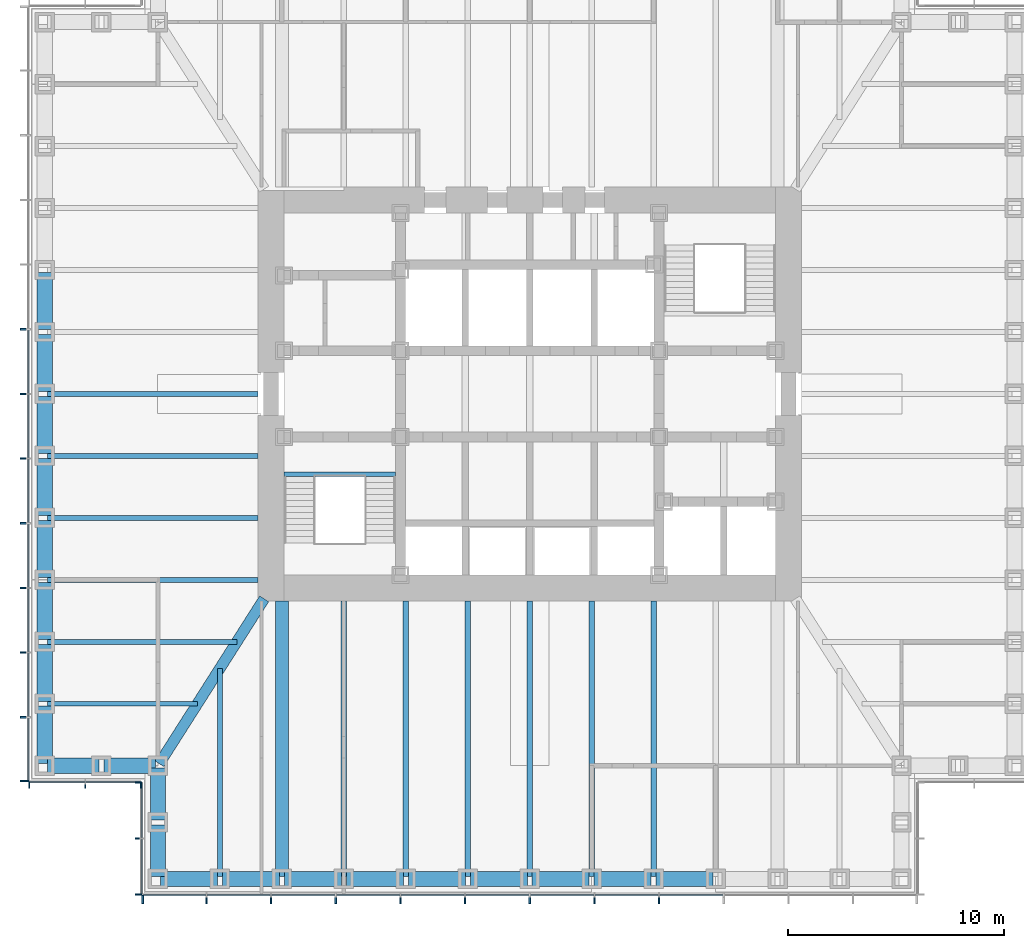
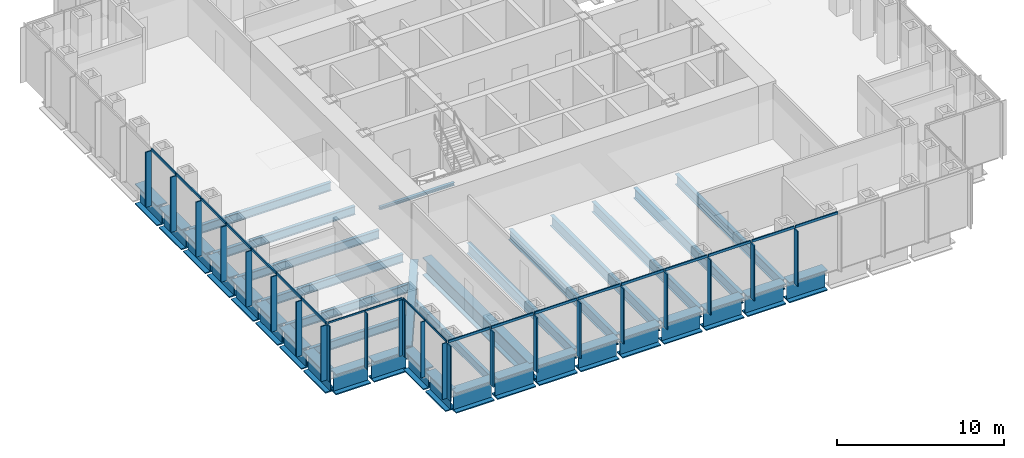
# One storey, part 2 of 17: 43 members, 37 beams, 4 elements without a shape of their own.
"""IFC4 building model written with IfcOpenShell, lengths in metres."""

from ifc_helpers import new_model, si_unit, direction, frame, origin, origin_2d, place, context, subcontext, project, spatial, rectangle, i_section, extrude, material, material_profile, profile_set, type_object, element, aggregate, save


model = new_model("IFC4")

# Units and contexts
model_context = context("Model", 3, precision=1e-05, world=origin(), true_north=direction((0.0, 1.0)))
body_context = subcontext(model_context, "Body", "Model", "MODEL_VIEW")
ifc_project = project(units=[si_unit("LENGTHUNIT", "METRE"), si_unit("AREAUNIT", "SQUARE_METRE"), si_unit("VOLUMEUNIT", "CUBIC_METRE"), si_unit("PLANEANGLEUNIT", "RADIAN"), si_unit("MASSUNIT", "GRAM", prefix="KILO")], contexts=[model_context])

# Site, building, storey
site_placement = place(None, origin())
site = spatial("IfcSite", under=ifc_project, at=site_placement, CompositionType="ELEMENT")
building_placement = place(site_placement, origin())
building = spatial("IfcBuilding", under=site, at=building_placement, Name="Daluyong Arena Tower", CompositionType="ELEMENT")
storey_placement = place(building_placement, frame((0.0, 0.0, 124.89990234375)))
storey = spatial("IfcBuildingStorey", under=building, at=storey_placement, Name="L27", CompositionType="ELEMENT", Elevation=124.89990234375)

# Curtain wall, members
ifc_material_1 = material(Name="Bronze anodised aluminium and glass", Category="aluminium")
curtain_wall_type_1 = type_object("IfcCurtainWallType", Name="Curtain wall CW2", PredefinedType="USERDEFINED", material=ifc_material_1)
curtain_wall_1_placement = place(storey_placement, origin())
curtain_wall_1 = element("IfcCurtainWall", 1, at=curtain_wall_1_placement, inside=storey, type_object=curtain_wall_type_1, Name="curtain wall L27 S", ObjectType="UNITISED CURTAIN WALL", PredefinedType="USERDEFINED")
ifc_material_2 = material(Name="Bronze anodised aluminium fin", Category="aluminium")
ifc_material_profile_1 = material_profile(ifc_material_2, rectangle(XDim=0.39990234375, YDim=0.080078125, at=origin_2d()))
ifc_profile_set_1 = profile_set([ifc_material_profile_1], Name="Bronze anodised aluminium fin")
member_type_1 = type_object("IfcMemberType", Name="CW2 bronze fin 400x80", PredefinedType="MULLION", material=ifc_profile_set_1)
member_1_placement = place(storey_placement, frame((38.0400390625, 56.550048828125, 0.0), z_axis=(0.0, 0.0, 1.0), x_axis=(0.0, 1.0, 0.0)))
member_1 = element("IfcMember", 2, at=member_1_placement, type_object=member_type_1, Name="curtain wall L27 S fin 1", PredefinedType="MULLION", context=body_context, shape_type="SweptSolid", body=[
    extrude(rectangle(XDim=0.39990234375, YDim=0.080078125, at=origin_2d()), origin(), (0.0, 0.0, 1.0), 4.02001953125),
])
member_2_placement = place(storey_placement, frame((41.0, 56.550048828125, 0.0), z_axis=(0.0, 0.0, 1.0), x_axis=(0.0, 1.0, 0.0)))
member_2 = element("IfcMember", 3, at=member_2_placement, type_object=member_type_1, Name="curtain wall L27 S fin 2", PredefinedType="MULLION", context=body_context, shape_type="SweptSolid", body=[
    extrude(rectangle(XDim=0.39990234375, YDim=0.080078125, at=origin_2d()), origin(), (0.0, 0.0, 1.0), 4.02001953125),
])
member_3_placement = place(storey_placement, frame((44.0, 56.550048828125, 0.0), z_axis=(0.0, 0.0, 1.0), x_axis=(0.0, 1.0, 0.0)))
member_3 = element("IfcMember", 4, at=member_3_placement, type_object=member_type_1, Name="curtain wall L27 S fin 3", PredefinedType="MULLION", context=body_context, shape_type="SweptSolid", body=[
    extrude(rectangle(XDim=0.39990234375, YDim=0.080078125, at=origin_2d()), origin(), (0.0, 0.0, 1.0), 4.02001953125),
])
member_4_placement = place(storey_placement, frame((47.0, 56.550048828125, 0.0), z_axis=(0.0, 0.0, 1.0), x_axis=(0.0, 1.0, 0.0)))
member_4 = element("IfcMember", 5, at=member_4_placement, type_object=member_type_1, Name="curtain wall L27 S fin 4", PredefinedType="MULLION", context=body_context, shape_type="SweptSolid", body=[
    extrude(rectangle(XDim=0.39990234375, YDim=0.080078125, at=origin_2d()), origin(), (0.0, 0.0, 1.0), 4.02001953125),
])
member_5_placement = place(storey_placement, frame((50.0, 56.550048828125, 0.0), z_axis=(0.0, 0.0, 1.0), x_axis=(0.0, 1.0, 0.0)))
member_5 = element("IfcMember", 6, at=member_5_placement, type_object=member_type_1, Name="curtain wall L27 S fin 5", PredefinedType="MULLION", context=body_context, shape_type="SweptSolid", body=[
    extrude(rectangle(XDim=0.39990234375, YDim=0.080078125, at=origin_2d()), origin(), (0.0, 0.0, 1.0), 4.02001953125),
])
member_6_placement = place(storey_placement, frame((53.0, 56.550048828125, 0.0), z_axis=(0.0, 0.0, 1.0), x_axis=(0.0, 1.0, 0.0)))
member_6 = element("IfcMember", 7, at=member_6_placement, type_object=member_type_1, Name="curtain wall L27 S fin 6", PredefinedType="MULLION", context=body_context, shape_type="SweptSolid", body=[
    extrude(rectangle(XDim=0.39990234375, YDim=0.080078125, at=origin_2d()), origin(), (0.0, 0.0, 1.0), 4.02001953125),
])
member_7_placement = place(storey_placement, frame((56.0, 56.550048828125, 0.0), z_axis=(0.0, 0.0, 1.0), x_axis=(0.0, 1.0, 0.0)))
member_7 = element("IfcMember", 8, at=member_7_placement, type_object=member_type_1, Name="curtain wall L27 S fin 7", PredefinedType="MULLION", context=body_context, shape_type="SweptSolid", body=[
    extrude(rectangle(XDim=0.39990234375, YDim=0.080078125, at=origin_2d()), origin(), (0.0, 0.0, 1.0), 4.02001953125),
])
member_8_placement = place(storey_placement, frame((59.0, 56.550048828125, 0.0), z_axis=(0.0, 0.0, 1.0), x_axis=(0.0, 1.0, 0.0)))
member_8 = element("IfcMember", 9, at=member_8_placement, type_object=member_type_1, Name="curtain wall L27 S fin 8", PredefinedType="MULLION", context=body_context, shape_type="SweptSolid", body=[
    extrude(rectangle(XDim=0.39990234375, YDim=0.080078125, at=origin_2d()), origin(), (0.0, 0.0, 1.0), 4.02001953125),
])
member_9_placement = place(storey_placement, frame((62.0, 56.550048828125, 0.0), z_axis=(0.0, 0.0, 1.0), x_axis=(0.0, 1.0, 0.0)))
member_9 = element("IfcMember", 10, at=member_9_placement, type_object=member_type_1, Name="curtain wall L27 S fin 9", PredefinedType="MULLION", context=body_context, shape_type="SweptSolid", body=[
    extrude(rectangle(XDim=0.39990234375, YDim=0.080078125, at=origin_2d()), origin(), (0.0, 0.0, 1.0), 4.02001953125),
])

curtain_wall_2_placement = place(storey_placement, origin())
curtain_wall_2 = element("IfcCurtainWall", 11, at=curtain_wall_2_placement, inside=storey, type_object=curtain_wall_type_1, Name="curtain wall L27 W", ObjectType="UNITISED CURTAIN WALL", PredefinedType="USERDEFINED")
member_10_placement = place(storey_placement, frame((32.550048828125, 83.0, 0.0), z_axis=(0.0, 0.0, 1.0), x_axis=(1.0, 0.0, 0.0)))
member_10 = element("IfcMember", 12, at=member_10_placement, type_object=member_type_1, Name="curtain wall L27 W fin 6", PredefinedType="MULLION", context=body_context, shape_type="SweptSolid", body=[
    extrude(rectangle(XDim=0.39990234375, YDim=0.080078125, at=origin_2d()), origin(), (0.0, 0.0, 1.0), 4.02001953125),
])
member_11_placement = place(storey_placement, frame((32.550048828125, 80.0, 0.0), z_axis=(0.0, 0.0, 1.0), x_axis=(1.0, 0.0, 0.0)))
member_11 = element("IfcMember", 13, at=member_11_placement, type_object=member_type_1, Name="curtain wall L27 W fin 7", PredefinedType="MULLION", context=body_context, shape_type="SweptSolid", body=[
    extrude(rectangle(XDim=0.39990234375, YDim=0.080078125, at=origin_2d()), origin(), (0.0, 0.0, 1.0), 4.02001953125),
])
member_12_placement = place(storey_placement, frame((32.550048828125, 77.0, 0.0), z_axis=(0.0, 0.0, 1.0), x_axis=(1.0, 0.0, 0.0)))
member_12 = element("IfcMember", 14, at=member_12_placement, type_object=member_type_1, Name="curtain wall L27 W fin 8", PredefinedType="MULLION", context=body_context, shape_type="SweptSolid", body=[
    extrude(rectangle(XDim=0.39990234375, YDim=0.080078125, at=origin_2d()), origin(), (0.0, 0.0, 1.0), 4.02001953125),
])
member_13_placement = place(storey_placement, frame((32.550048828125, 74.0, 0.0), z_axis=(0.0, 0.0, 1.0), x_axis=(1.0, 0.0, 0.0)))
member_13 = element("IfcMember", 15, at=member_13_placement, type_object=member_type_1, Name="curtain wall L27 W fin 9", PredefinedType="MULLION", context=body_context, shape_type="SweptSolid", body=[
    extrude(rectangle(XDim=0.39990234375, YDim=0.080078125, at=origin_2d()), origin(), (0.0, 0.0, 1.0), 4.02001953125),
])
member_14_placement = place(storey_placement, frame((32.550048828125, 71.0, 0.0), z_axis=(0.0, 0.0, 1.0), x_axis=(1.0, 0.0, 0.0)))
member_14 = element("IfcMember", 16, at=member_14_placement, type_object=member_type_1, Name="curtain wall L27 W fin 10", PredefinedType="MULLION", context=body_context, shape_type="SweptSolid", body=[
    extrude(rectangle(XDim=0.39990234375, YDim=0.080078125, at=origin_2d()), origin(), (0.0, 0.0, 1.0), 4.02001953125),
])
member_15_placement = place(storey_placement, frame((32.550048828125, 68.0, 0.0), z_axis=(0.0, 0.0, 1.0), x_axis=(1.0, 0.0, 0.0)))
member_15 = element("IfcMember", 17, at=member_15_placement, type_object=member_type_1, Name="curtain wall L27 W fin 11", PredefinedType="MULLION", context=body_context, shape_type="SweptSolid", body=[
    extrude(rectangle(XDim=0.39990234375, YDim=0.080078125, at=origin_2d()), origin(), (0.0, 0.0, 1.0), 4.02001953125),
])
member_16_placement = place(storey_placement, frame((32.550048828125, 65.0, 0.0), z_axis=(0.0, 0.0, 1.0), x_axis=(1.0, 0.0, 0.0)))
member_16 = element("IfcMember", 18, at=member_16_placement, type_object=member_type_1, Name="curtain wall L27 W fin 12", PredefinedType="MULLION", context=body_context, shape_type="SweptSolid", body=[
    extrude(rectangle(XDim=0.39990234375, YDim=0.080078125, at=origin_2d()), origin(), (0.0, 0.0, 1.0), 4.02001953125),
])
member_17_placement = place(storey_placement, frame((32.550048828125, 62.0400390625, 0.0), z_axis=(0.0, 0.0, 1.0), x_axis=(1.0, 0.0, 0.0)))
member_17 = element("IfcMember", 19, at=member_17_placement, type_object=member_type_1, Name="curtain wall L27 W fin 13", PredefinedType="MULLION", context=body_context, shape_type="SweptSolid", body=[
    extrude(rectangle(XDim=0.39990234375, YDim=0.080078125, at=origin_2d()), origin(), (0.0, 0.0, 1.0), 4.02001953125),
])

# Member
ifc_material_3 = material(Name="Bronze anodised aluminium", Category="aluminium")
ifc_material_profile_2 = material_profile(ifc_material_3, rectangle(XDim=0.080078125, YDim=0.179931640625, at=origin_2d()))
ifc_profile_set_2 = profile_set([ifc_material_profile_2], Name="Bronze anodised aluminium")
member_type_2 = type_object("IfcMemberType", Name="CW2 stack transom 180x80", PredefinedType="USERDEFINED", material=ifc_profile_set_2)
member_18_placement = place(storey_placement, frame((38.080078125, 56.75, 4.110107421875), z_axis=(1.0, 0.0, 0.0), x_axis=(0.0, 1.0, 0.0)))
member_18 = element("IfcMember", 20, at=member_18_placement, type_object=member_type_2, Name="curtain wall L27 S transom 1", ObjectType="TRANSOM", PredefinedType="USERDEFINED", context=body_context, shape_type="SweptSolid", body=[
    extrude(rectangle(XDim=0.080078125, YDim=0.179931640625, at=origin_2d()), origin(), (0.0, 0.0, 1.0), 2.8798828125),
])

member_19_placement = place(storey_placement, frame((41.0400390625, 56.75, 4.110107421875), z_axis=(1.0, 0.0, 0.0), x_axis=(0.0, 1.0, 0.0)))
member_19 = element("IfcMember", 21, at=member_19_placement, type_object=member_type_2, Name="curtain wall L27 S transom 2", ObjectType="TRANSOM", PredefinedType="USERDEFINED", context=body_context, shape_type="SweptSolid", body=[
    extrude(rectangle(XDim=0.080078125, YDim=0.179931640625, at=origin_2d()), origin(), (0.0, 0.0, 1.0), 2.919921875),
])

member_20_placement = place(storey_placement, frame((44.0400390625, 56.75, 4.110107421875), z_axis=(1.0, 0.0, 0.0), x_axis=(0.0, 1.0, 0.0)))
member_20 = element("IfcMember", 22, at=member_20_placement, type_object=member_type_2, Name="curtain wall L27 S transom 3", ObjectType="TRANSOM", PredefinedType="USERDEFINED", context=body_context, shape_type="SweptSolid", body=[
    extrude(rectangle(XDim=0.080078125, YDim=0.179931640625, at=origin_2d()), origin(), (0.0, 0.0, 1.0), 2.919921875),
])

member_21_placement = place(storey_placement, frame((47.0400390625, 56.75, 4.110107421875), z_axis=(1.0, 0.0, 0.0), x_axis=(0.0, 1.0, 0.0)))
member_21 = element("IfcMember", 23, at=member_21_placement, type_object=member_type_2, Name="curtain wall L27 S transom 4", ObjectType="TRANSOM", PredefinedType="USERDEFINED", context=body_context, shape_type="SweptSolid", body=[
    extrude(rectangle(XDim=0.080078125, YDim=0.179931640625, at=origin_2d()), origin(), (0.0, 0.0, 1.0), 2.919921875),
])

member_22_placement = place(storey_placement, frame((50.0400390625, 56.75, 4.110107421875), z_axis=(1.0, 0.0, 0.0), x_axis=(0.0, 1.0, 0.0)))
member_22 = element("IfcMember", 24, at=member_22_placement, type_object=member_type_2, Name="curtain wall L27 S transom 5", ObjectType="TRANSOM", PredefinedType="USERDEFINED", context=body_context, shape_type="SweptSolid", body=[
    extrude(rectangle(XDim=0.080078125, YDim=0.179931640625, at=origin_2d()), origin(), (0.0, 0.0, 1.0), 2.919921875),
])

member_23_placement = place(storey_placement, frame((53.0400390625, 56.75, 4.110107421875), z_axis=(1.0, 0.0, 0.0), x_axis=(0.0, 1.0, 0.0)))
member_23 = element("IfcMember", 25, at=member_23_placement, type_object=member_type_2, Name="curtain wall L27 S transom 6", ObjectType="TRANSOM", PredefinedType="USERDEFINED", context=body_context, shape_type="SweptSolid", body=[
    extrude(rectangle(XDim=0.080078125, YDim=0.179931640625, at=origin_2d()), origin(), (0.0, 0.0, 1.0), 2.919921875),
])

member_24_placement = place(storey_placement, frame((56.0400390625, 56.75, 4.110107421875), z_axis=(1.0, 0.0, 0.0), x_axis=(0.0, 1.0, 0.0)))
member_24 = element("IfcMember", 26, at=member_24_placement, type_object=member_type_2, Name="curtain wall L27 S transom 7", ObjectType="TRANSOM", PredefinedType="USERDEFINED", context=body_context, shape_type="SweptSolid", body=[
    extrude(rectangle(XDim=0.080078125, YDim=0.179931640625, at=origin_2d()), origin(), (0.0, 0.0, 1.0), 2.919921875),
])

member_25_placement = place(storey_placement, frame((59.0400390625, 56.75, 4.110107421875), z_axis=(1.0, 0.0, 0.0), x_axis=(0.0, 1.0, 0.0)))
member_25 = element("IfcMember", 27, at=member_25_placement, type_object=member_type_2, Name="curtain wall L27 S transom 8", ObjectType="TRANSOM", PredefinedType="USERDEFINED", context=body_context, shape_type="SweptSolid", body=[
    extrude(rectangle(XDim=0.080078125, YDim=0.179931640625, at=origin_2d()), origin(), (0.0, 0.0, 1.0), 2.919921875),
])

member_26_placement = place(storey_placement, frame((62.0400390625, 56.75, 4.110107421875), z_axis=(1.0, 0.0, 0.0), x_axis=(0.0, 1.0, 0.0)))
member_26 = element("IfcMember", 28, at=member_26_placement, type_object=member_type_2, Name="curtain wall L27 S transom 9", ObjectType="TRANSOM", PredefinedType="USERDEFINED", context=body_context, shape_type="SweptSolid", body=[
    extrude(rectangle(XDim=0.080078125, YDim=0.179931640625, at=origin_2d()), origin(), (0.0, 0.0, 1.0), 2.919921875),
])

aggregate(curtain_wall_1, [member_1, member_2, member_3, member_4, member_5, member_6, member_7, member_8, member_9, member_18, member_19, member_20, member_21, member_22, member_23, member_24, member_25, member_26])

member_27_placement = place(storey_placement, frame((32.75, 82.9599609375, 4.110107421875), z_axis=(0.0, -1.0, 0.0), x_axis=(1.0, 0.0, 0.0)))
member_27 = element("IfcMember", 29, at=member_27_placement, type_object=member_type_2, Name="curtain wall L27 W transom 6", ObjectType="TRANSOM", PredefinedType="USERDEFINED", context=body_context, shape_type="SweptSolid", body=[
    extrude(rectangle(XDim=0.080078125, YDim=0.179931640625, at=origin_2d()), origin(), (0.0, 0.0, 1.0), 2.919921875),
])

member_28_placement = place(storey_placement, frame((32.75, 79.9599609375, 4.110107421875), z_axis=(0.0, -1.0, 0.0), x_axis=(1.0, 0.0, 0.0)))
member_28 = element("IfcMember", 30, at=member_28_placement, type_object=member_type_2, Name="curtain wall L27 W transom 7", ObjectType="TRANSOM", PredefinedType="USERDEFINED", context=body_context, shape_type="SweptSolid", body=[
    extrude(rectangle(XDim=0.080078125, YDim=0.179931640625, at=origin_2d()), origin(), (0.0, 0.0, 1.0), 2.919921875),
])

member_29_placement = place(storey_placement, frame((32.75, 76.9599609375, 4.110107421875), z_axis=(0.0, -1.0, 0.0), x_axis=(1.0, 0.0, 0.0)))
member_29 = element("IfcMember", 31, at=member_29_placement, type_object=member_type_2, Name="curtain wall L27 W transom 8", ObjectType="TRANSOM", PredefinedType="USERDEFINED", context=body_context, shape_type="SweptSolid", body=[
    extrude(rectangle(XDim=0.080078125, YDim=0.179931640625, at=origin_2d()), origin(), (0.0, 0.0, 1.0), 2.919921875),
])

member_30_placement = place(storey_placement, frame((32.75, 73.9599609375, 4.110107421875), z_axis=(0.0, -1.0, 0.0), x_axis=(1.0, 0.0, 0.0)))
member_30 = element("IfcMember", 32, at=member_30_placement, type_object=member_type_2, Name="curtain wall L27 W transom 9", ObjectType="TRANSOM", PredefinedType="USERDEFINED", context=body_context, shape_type="SweptSolid", body=[
    extrude(rectangle(XDim=0.080078125, YDim=0.179931640625, at=origin_2d()), origin(), (0.0, 0.0, 1.0), 2.919921875),
])

member_31_placement = place(storey_placement, frame((32.75, 70.9599609375, 4.110107421875), z_axis=(0.0, -1.0, 0.0), x_axis=(1.0, 0.0, 0.0)))
member_31 = element("IfcMember", 33, at=member_31_placement, type_object=member_type_2, Name="curtain wall L27 W transom 10", ObjectType="TRANSOM", PredefinedType="USERDEFINED", context=body_context, shape_type="SweptSolid", body=[
    extrude(rectangle(XDim=0.080078125, YDim=0.179931640625, at=origin_2d()), origin(), (0.0, 0.0, 1.0), 2.919921875),
])

member_32_placement = place(storey_placement, frame((32.75, 67.9599609375, 4.110107421875), z_axis=(0.0, -1.0, 0.0), x_axis=(1.0, 0.0, 0.0)))
member_32 = element("IfcMember", 34, at=member_32_placement, type_object=member_type_2, Name="curtain wall L27 W transom 11", ObjectType="TRANSOM", PredefinedType="USERDEFINED", context=body_context, shape_type="SweptSolid", body=[
    extrude(rectangle(XDim=0.080078125, YDim=0.179931640625, at=origin_2d()), origin(), (0.0, 0.0, 1.0), 2.919921875),
])

member_33_placement = place(storey_placement, frame((32.75, 64.9599609375, 4.110107421875), z_axis=(0.0, -1.0, 0.0), x_axis=(1.0, 0.0, 0.0)))
member_33 = element("IfcMember", 35, at=member_33_placement, type_object=member_type_2, Name="curtain wall L27 W transom 12", ObjectType="TRANSOM", PredefinedType="USERDEFINED", context=body_context, shape_type="SweptSolid", body=[
    extrude(rectangle(XDim=0.080078125, YDim=0.179931640625, at=origin_2d()), origin(), (0.0, 0.0, 1.0), 2.8798828125),
])

aggregate(curtain_wall_2, [member_10, member_11, member_12, member_13, member_14, member_15, member_16, member_17, member_27, member_28, member_29, member_30, member_31, member_32, member_33])

# Curtain wall, members
ifc_material_4 = material(Name="Bronze anodised aluminium and glass", Category="aluminium")
curtain_wall_type_2 = type_object("IfcCurtainWallType", Name="Curtain wall CW7", PredefinedType="USERDEFINED", material=ifc_material_4)
curtain_wall_3_placement = place(storey_placement, origin())
curtain_wall_3 = element("IfcCurtainWall", 36, at=curtain_wall_3_placement, inside=storey, type_object=curtain_wall_type_2, Name="curtain wall L27 SW-S", ObjectType="UNITISED CURTAIN WALL", PredefinedType="USERDEFINED")
ifc_material_5 = material(Name="Bronze anodised aluminium fin", Category="aluminium")
ifc_material_profile_3 = material_profile(ifc_material_5, rectangle(XDim=0.300048828125, YDim=0.06005859375, at=origin_2d()))
ifc_profile_set_3 = profile_set([ifc_material_profile_3], Name="Bronze anodised aluminium fin")
member_type_3 = type_object("IfcMemberType", Name="CW7 bronze fin 300x60", PredefinedType="MULLION", material=ifc_profile_set_3)
member_34_placement = place(storey_placement, frame((32.780029296875, 61.85009765625, 0.0), z_axis=(0.0, 0.0, 1.0), x_axis=(0.0, 1.0, 0.0)))
member_34 = element("IfcMember", 37, at=member_34_placement, type_object=member_type_3, Name="curtain wall L27 SW-S fin 1", PredefinedType="MULLION", context=body_context, shape_type="SweptSolid", body=[
    extrude(rectangle(XDim=0.300048828125, YDim=0.06005859375, at=origin_2d()), origin(), (0.0, 0.0, 1.0), 4.080078125),
])
member_35_placement = place(storey_placement, frame((35.375, 61.85009765625, 0.0), z_axis=(0.0, 0.0, 1.0), x_axis=(0.0, 1.0, 0.0)))
member_35 = element("IfcMember", 38, at=member_35_placement, type_object=member_type_3, Name="curtain wall L27 SW-S fin 2", PredefinedType="MULLION", context=body_context, shape_type="SweptSolid", body=[
    extrude(rectangle(XDim=0.300048828125, YDim=0.06005859375, at=origin_2d()), origin(), (0.0, 0.0, 1.0), 4.080078125),
])
member_36_placement = place(storey_placement, frame((37.969970703125, 61.85009765625, 0.0), z_axis=(0.0, 0.0, 1.0), x_axis=(0.0, 1.0, 0.0)))
member_36 = element("IfcMember", 39, at=member_36_placement, type_object=member_type_3, Name="curtain wall L27 SW-S fin 3", PredefinedType="MULLION", context=body_context, shape_type="SweptSolid", body=[
    extrude(rectangle(XDim=0.300048828125, YDim=0.06005859375, at=origin_2d()), origin(), (0.0, 0.0, 1.0), 4.080078125),
])

curtain_wall_4_placement = place(storey_placement, origin())
curtain_wall_4 = element("IfcCurtainWall", 40, at=curtain_wall_4_placement, inside=storey, type_object=curtain_wall_type_2, Name="curtain wall L27 SW-W", ObjectType="UNITISED CURTAIN WALL", PredefinedType="USERDEFINED")
member_37_placement = place(storey_placement, frame((37.85009765625, 61.969970703125, 0.0), z_axis=(0.0, 0.0, 1.0), x_axis=(1.0, 0.0, 0.0)))
member_37 = element("IfcMember", 41, at=member_37_placement, type_object=member_type_3, Name="curtain wall L27 SW-W fin 1", PredefinedType="MULLION", context=body_context, shape_type="SweptSolid", body=[
    extrude(rectangle(XDim=0.300048828125, YDim=0.06005859375, at=origin_2d()), origin(), (0.0, 0.0, 1.0), 4.080078125),
])
member_38_placement = place(storey_placement, frame((37.85009765625, 59.375, 0.0), z_axis=(0.0, 0.0, 1.0), x_axis=(1.0, 0.0, 0.0)))
member_38 = element("IfcMember", 42, at=member_38_placement, type_object=member_type_3, Name="curtain wall L27 SW-W fin 2", PredefinedType="MULLION", context=body_context, shape_type="SweptSolid", body=[
    extrude(rectangle(XDim=0.300048828125, YDim=0.06005859375, at=origin_2d()), origin(), (0.0, 0.0, 1.0), 4.080078125),
])
member_39_placement = place(storey_placement, frame((37.85009765625, 56.780029296875, 0.0), z_axis=(0.0, 0.0, 1.0), x_axis=(1.0, 0.0, 0.0)))
member_39 = element("IfcMember", 43, at=member_39_placement, type_object=member_type_3, Name="curtain wall L27 SW-W fin 3", PredefinedType="MULLION", context=body_context, shape_type="SweptSolid", body=[
    extrude(rectangle(XDim=0.300048828125, YDim=0.06005859375, at=origin_2d()), origin(), (0.0, 0.0, 1.0), 4.080078125),
])

# Member
ifc_material_6 = material(Name="Bronze anodised aluminium", Category="aluminium")
ifc_material_profile_4 = material_profile(ifc_material_6, rectangle(XDim=0.06005859375, YDim=0.1201171875, at=origin_2d()))
ifc_profile_set_4 = profile_set([ifc_material_profile_4], Name="Bronze anodised aluminium")
member_type_4 = type_object("IfcMemberType", Name="CW7 stack transom 120x60", PredefinedType="USERDEFINED", material=ifc_profile_set_4)
member_40_placement = place(storey_placement, frame((32.81005859375, 62.0, 4.14013671875), z_axis=(1.0, 0.0, 0.0), x_axis=(0.0, 1.0, 0.0)))
member_40 = element("IfcMember", 44, at=member_40_placement, type_object=member_type_4, Name="curtain wall L27 SW-S transom 1", ObjectType="TRANSOM", PredefinedType="USERDEFINED", context=body_context, shape_type="SweptSolid", body=[
    extrude(rectangle(XDim=0.06005859375, YDim=0.1201171875, at=origin_2d()), origin(), (0.0, 0.0, 1.0), 2.534912109375),
])

member_41_placement = place(storey_placement, frame((35.405029296875, 62.0, 4.14013671875), z_axis=(1.0, 0.0, 0.0), x_axis=(0.0, 1.0, 0.0)))
member_41 = element("IfcMember", 45, at=member_41_placement, type_object=member_type_4, Name="curtain wall L27 SW-S transom 2", ObjectType="TRANSOM", PredefinedType="USERDEFINED", context=body_context, shape_type="SweptSolid", body=[
    extrude(rectangle(XDim=0.06005859375, YDim=0.1201171875, at=origin_2d()), origin(), (0.0, 0.0, 1.0), 2.534912109375),
])

aggregate(curtain_wall_3, [member_34, member_35, member_36, member_40, member_41])

member_42_placement = place(storey_placement, frame((38.0, 61.93994140625, 4.14013671875), z_axis=(0.0, -1.0, 0.0), x_axis=(1.0, 0.0, 0.0)))
member_42 = element("IfcMember", 46, at=member_42_placement, type_object=member_type_4, Name="curtain wall L27 SW-W transom 1", ObjectType="TRANSOM", PredefinedType="USERDEFINED", context=body_context, shape_type="SweptSolid", body=[
    extrude(rectangle(XDim=0.06005859375, YDim=0.1201171875, at=origin_2d()), origin(), (0.0, 0.0, 1.0), 2.534912109375),
])

member_43_placement = place(storey_placement, frame((38.0, 59.344970703125, 4.14013671875), z_axis=(0.0, -1.0, 0.0), x_axis=(1.0, 0.0, 0.0)))
member_43 = element("IfcMember", 47, at=member_43_placement, type_object=member_type_4, Name="curtain wall L27 SW-W transom 2", ObjectType="TRANSOM", PredefinedType="USERDEFINED", context=body_context, shape_type="SweptSolid", body=[
    extrude(rectangle(XDim=0.06005859375, YDim=0.1201171875, at=origin_2d()), origin(), (0.0, 0.0, 1.0), 2.534912109375),
])

aggregate(curtain_wall_4, [member_37, member_38, member_39, member_42, member_43])

# Beams
ifc_material_7 = material(Name="Steel ASTM A572 Grade 50", Category="steel")
ifc_material_profile_5 = material_profile(ifc_material_7, i_section(OverallWidth=0.5, OverallDepth=1.0, WebThickness=0.03, FlangeThickness=0.06, at=origin_2d()))
ifc_profile_set_5 = profile_set([ifc_material_profile_5], Name="Steel ASTM A572 Grade 50")
beam_type_1 = type_object("IfcBeamType", Name="Corner girder TB1000X500", PredefinedType="BEAM", material=ifc_profile_set_5)
beam_1_placement = place(storey_placement, frame((38.811767578125, 62.846923828125, -0.659912109375), z_axis=(0.536872006459, 0.843663705916, 0.0), x_axis=(-0.843663705916, 0.536872006459, 0.0)))
element("IfcBeam", 48, at=beam_1_placement, inside=storey, type_object=beam_type_1, Name="corner girder DG2", PredefinedType="BEAM", context=body_context, shape_type="SweptSolid", body=[
    extrude(i_section(OverallWidth=0.5, OverallDepth=1.0, WebThickness=0.03, FlangeThickness=0.06, at=origin_2d()), origin(), (0.0, 0.0, 1.0), 9.06396484375),
])
ifc_material_8 = material(Name="Steel ASTM A572 Grade 50", Category="steel")
ifc_material_profile_6 = material_profile(ifc_material_8, i_section(OverallWidth=0.60009765625, OverallDepth=1.300048828125, WebThickness=0.035, FlangeThickness=0.07, at=origin_2d()))
ifc_profile_set_6 = profile_set([ifc_material_profile_6], Name="Steel ASTM A572 Grade 50")
beam_type_2 = type_object("IfcBeamType", Name="Floor beam TB1300X600", PredefinedType="BEAM", material=ifc_profile_set_6)
beam_2_placement = place(storey_placement, frame((44.5, 57.614990234375, -0.809814453125), z_axis=(0.0, 1.0, 0.0), x_axis=(-1.0, 0.0, 0.0)))
element("IfcBeam", 49, at=beam_2_placement, inside=storey, type_object=beam_type_2, Name="floor beam FB7", PredefinedType="BEAM", context=body_context, shape_type="SweptSolid", body=[
    extrude(i_section(OverallWidth=0.60009765625, OverallDepth=1.300048828125, WebThickness=0.035, FlangeThickness=0.07, at=origin_2d()), origin(), (0.0, 0.0, 1.0), 12.784912109375),
])
ifc_material_9 = material(Name="Steel ASTM A992 Grade 50", Category="steel")
ifc_material_profile_7 = material_profile(ifc_material_9, i_section(OverallWidth=0.22900390625, OverallDepth=0.612060546875, WebThickness=0.011962890625, FlangeThickness=0.01953125, at=origin_2d()))
ifc_profile_set_7 = profile_set([ifc_material_profile_7], Name="Steel ASTM A992 Grade 50")
beam_type_3 = type_object("IfcBeamType", Name="Floor beam W24X84", PredefinedType="BEAM", material=ifc_profile_set_7)
beam_3_placement = place(storey_placement, frame((41.625, 57.614990234375, -0.466064453125), z_axis=(0.0, 1.0, 0.0), x_axis=(-1.0, 0.0, 0.0)))
element("IfcBeam", 50, at=beam_3_placement, inside=storey, type_object=beam_type_3, Name="floor beam FB3", PredefinedType="BEAM", context=body_context, shape_type="SweptSolid", body=[
    extrude(i_section(OverallWidth=0.22900390625, OverallDepth=0.612060546875, WebThickness=0.011962890625, FlangeThickness=0.01953125, at=origin_2d()), origin(), (0.0, 0.0, 1.0), 9.65283203125),
])
for number, where, z_axis, x_axis, name in (
    (51, (33.614990234375, 80.0, -0.466064453125), (1.0, 0.0, 0.0), (0.0, 1.0, 0.0), "floor beam FB3"),
    (52, (33.614990234375, 77.125, -0.466064453125), (1.0, 0.0, 0.0), (0.0, 1.0, 0.0), "floor beam FB3"),
    (53, (33.614990234375, 74.25, -0.466064453125), (1.0, 0.0, 0.0), (0.0, 1.0, 0.0), "floor beam FB3"),
    (54, (33.614990234375, 71.375, -0.466064453125), (1.0, 0.0, 0.0), (0.0, 1.0, 0.0), "floor beam FB3"),
):
    element("IfcBeam", number, at=place(storey_placement, frame(where, z_axis=z_axis, x_axis=x_axis)), inside=storey, type_object=beam_type_3, Name=name, PredefinedType="BEAM", context=body_context, shape_type="SweptSolid", body=[
        extrude(i_section(OverallWidth=0.22900390625, OverallDepth=0.612060546875, WebThickness=0.011962890625, FlangeThickness=0.01953125, at=origin_2d()), origin(), (0.0, 0.0, 1.0), 9.784912109375),
    ])
beam_4_placement = place(storey_placement, frame((33.614990234375, 68.5, -0.466064453125), z_axis=(1.0, 0.0, 0.0), x_axis=(0.0, 1.0, 0.0)))
element("IfcBeam", 55, at=beam_4_placement, inside=storey, type_object=beam_type_3, Name="floor beam FB3", PredefinedType="BEAM", context=body_context, shape_type="SweptSolid", body=[
    extrude(i_section(OverallWidth=0.22900390625, OverallDepth=0.612060546875, WebThickness=0.011962890625, FlangeThickness=0.01953125, at=origin_2d()), origin(), (0.0, 0.0, 1.0), 8.794189453125),
])
beam_5_placement = place(storey_placement, frame((33.614990234375, 65.625, -0.466064453125), z_axis=(1.0, 0.0, 0.0), x_axis=(0.0, 1.0, 0.0)))
element("IfcBeam", 56, at=beam_5_placement, inside=storey, type_object=beam_type_3, Name="floor beam FB3", PredefinedType="BEAM", context=body_context, shape_type="SweptSolid", body=[
    extrude(i_section(OverallWidth=0.22900390625, OverallDepth=0.612060546875, WebThickness=0.011962890625, FlangeThickness=0.01953125, at=origin_2d()), origin(), (0.0, 0.0, 1.0), 6.964599609375),
])
ifc_material_10 = material(Name="Steel ASTM A992 Grade 50", Category="steel")
ifc_material_profile_8 = material_profile(ifc_material_10, i_section(OverallWidth=0.2666015625, OverallDepth=0.761962890625, WebThickness=0.014404296875, FlangeThickness=0.021484375, at=origin_2d()))
ifc_profile_set_8 = profile_set([ifc_material_profile_8], Name="Steel ASTM A992 Grade 50")
beam_type_4 = type_object("IfcBeamType", Name="Floor beam W30X116", PredefinedType="BEAM", material=ifc_profile_set_8)
for number, where, z_axis, x_axis, name in (
    (57, (47.375, 57.614990234375, -0.541015625), (0.0, 1.0, 0.0), (-1.0, 0.0, 0.0), "floor beam FB4"),
    (58, (50.25, 57.614990234375, -0.541015625), (0.0, 1.0, 0.0), (-1.0, 0.0, 0.0), "floor beam FB4"),
    (59, (53.125, 57.614990234375, -0.541015625), (0.0, 1.0, 0.0), (-1.0, 0.0, 0.0), "floor beam FB4"),
    (60, (56.0, 57.614990234375, -0.541015625), (0.0, 1.0, 0.0), (-1.0, 0.0, 0.0), "floor beam FB4"),
    (61, (58.875, 57.614990234375, -0.541015625), (0.0, 1.0, 0.0), (-1.0, 0.0, 0.0), "floor beam FB4"),
    (62, (61.75, 57.614990234375, -0.541015625), (0.0, 1.0, 0.0), (-1.0, 0.0, 0.0), "floor beam FB4"),
):
    element("IfcBeam", number, at=place(storey_placement, frame(where, z_axis=z_axis, x_axis=x_axis)), inside=storey, type_object=beam_type_4, Name=name, PredefinedType="BEAM", context=body_context, shape_type="SweptSolid", body=[
        extrude(i_section(OverallWidth=0.2666015625, OverallDepth=0.761962890625, WebThickness=0.014404296875, FlangeThickness=0.021484375, at=origin_2d()), origin(), (0.0, 0.0, 1.0), 12.784912109375),
    ])
ifc_material_11 = material(Name="Steel ASTM A572 Grade 50", Category="steel")
ifc_material_profile_9 = material_profile(ifc_material_11, i_section(OverallWidth=0.699951171875, OverallDepth=1.5, WebThickness=0.04, FlangeThickness=0.08, at=origin_2d()))
ifc_profile_set_9 = profile_set([ifc_material_profile_9], Name="Steel ASTM A572 Grade 50")
beam_type_5 = type_object("IfcBeamType", Name="Spandrel Z2 PG1500X700", PredefinedType="SPANDREL", material=ifc_profile_set_9)
for number, where, z_axis, x_axis, name in (
    (63, (38.864990234375, 57.5, -0.909912109375), (1.0, 0.0, 0.0), (0.0, 1.0, 0.0), "spandrel z2 SB6"),
    (64, (41.739990234375, 57.5, -0.909912109375), (1.0, 0.0, 0.0), (0.0, 1.0, 0.0), "spandrel z2 SB6"),
    (65, (44.614990234375, 57.5, -0.909912109375), (1.0, 0.0, 0.0), (0.0, 1.0, 0.0), "spandrel z2 SB6"),
    (66, (47.489990234375, 57.5, -0.909912109375), (1.0, 0.0, 0.0), (0.0, 1.0, 0.0), "spandrel z2 SB6"),
    (67, (50.364990234375, 57.5, -0.909912109375), (1.0, 0.0, 0.0), (0.0, 1.0, 0.0), "spandrel z2 SB6"),
    (68, (53.239990234375, 57.5, -0.909912109375), (1.0, 0.0, 0.0), (0.0, 1.0, 0.0), "spandrel z2 SB6"),
    (69, (56.114990234375, 57.5, -0.909912109375), (1.0, 0.0, 0.0), (0.0, 1.0, 0.0), "spandrel z2 SB6"),
    (70, (58.989990234375, 57.5, -0.909912109375), (1.0, 0.0, 0.0), (0.0, 1.0, 0.0), "spandrel z2 SB6"),
    (71, (61.864990234375, 57.5, -0.909912109375), (1.0, 0.0, 0.0), (0.0, 1.0, 0.0), "spandrel z2 SB6"),
    (72, (33.5, 85.635009765625, -0.909912109375), (0.0, -1.0, 0.0), (1.0, 0.0, 0.0), "spandrel z2 SB6"),
    (73, (33.5, 82.760009765625, -0.909912109375), (0.0, -1.0, 0.0), (1.0, 0.0, 0.0), "spandrel z2 SB6"),
    (74, (33.5, 79.885009765625, -0.909912109375), (0.0, -1.0, 0.0), (1.0, 0.0, 0.0), "spandrel z2 SB6"),
    (75, (33.5, 77.010009765625, -0.909912109375), (0.0, -1.0, 0.0), (1.0, 0.0, 0.0), "spandrel z2 SB6"),
    (76, (33.5, 74.135009765625, -0.909912109375), (0.0, -1.0, 0.0), (1.0, 0.0, 0.0), "spandrel z2 SB6"),
    (77, (33.5, 71.260009765625, -0.909912109375), (0.0, -1.0, 0.0), (1.0, 0.0, 0.0), "spandrel z2 SB6"),
    (78, (33.5, 68.385009765625, -0.909912109375), (0.0, -1.0, 0.0), (1.0, 0.0, 0.0), "spandrel z2 SB6"),
    (79, (33.5, 65.510009765625, -0.909912109375), (0.0, -1.0, 0.0), (1.0, 0.0, 0.0), "spandrel z2 SB6"),
):
    element("IfcBeam", number, at=place(storey_placement, frame(where, z_axis=z_axis, x_axis=x_axis)), inside=storey, type_object=beam_type_5, Name=name, PredefinedType="SPANDREL", context=body_context, shape_type="SweptSolid", body=[
        extrude(i_section(OverallWidth=0.699951171875, OverallDepth=1.5, WebThickness=0.04, FlangeThickness=0.08, at=origin_2d()), origin(), (0.0, 0.0, 1.0), 2.64501953125),
    ])
for number, where, z_axis, x_axis, name in (
    (80, (33.614990234375, 62.75, -0.909912109375), (1.0, 0.0, 0.0), (0.0, 1.0, 0.0), "spandrel z2 SB6"),
    (81, (36.239990234375, 62.75, -0.909912109375), (1.0, 0.0, 0.0), (0.0, 1.0, 0.0), "spandrel z2 SB6"),
    (82, (38.75, 62.635009765625, -0.909912109375), (0.0, -1.0, 0.0), (1.0, 0.0, 0.0), "spandrel z2 SB6"),
    (83, (38.75, 60.010009765625, -0.909912109375), (0.0, -1.0, 0.0), (1.0, 0.0, 0.0), "spandrel z2 SB6"),
):
    element("IfcBeam", number, at=place(storey_placement, frame(where, z_axis=z_axis, x_axis=x_axis)), inside=storey, type_object=beam_type_5, Name=name, PredefinedType="SPANDREL", context=body_context, shape_type="SweptSolid", body=[
        extrude(i_section(OverallWidth=0.699951171875, OverallDepth=1.5, WebThickness=0.04, FlangeThickness=0.08, at=origin_2d()), origin(), (0.0, 0.0, 1.0), 2.39501953125),
    ])
ifc_material_12 = material(Name="Steel ASTM A992 Grade 50", Category="steel")
ifc_material_profile_10 = material_profile(ifc_material_12, i_section(OverallWidth=0.203125, OverallDepth=0.203125, WebThickness=0.00732421875, FlangeThickness=0.010986328125, at=origin_2d()))
ifc_profile_set_10 = profile_set([ifc_material_profile_10], Name="Steel ASTM A992 Grade 50")
beam_type_6 = type_object("IfcBeamType", Name="Stair landing beam W8X31", PredefinedType="BEAM", material=ifc_profile_set_10)
beam_6_placement = place(storey_placement, frame((44.60009765625, 76.276611328125, -0.261474609375), z_axis=(1.0, 0.0, 0.0), x_axis=(0.0, 1.0, 0.0)))
element("IfcBeam", 84, at=beam_6_placement, inside=storey, type_object=beam_type_6, Name="exit stair A landing beam", PredefinedType="BEAM", context=body_context, shape_type="SweptSolid", body=[
    extrude(i_section(OverallWidth=0.203125, OverallDepth=0.203125, WebThickness=0.00732421875, FlangeThickness=0.010986328125, at=origin_2d()), origin(), (0.0, 0.0, 1.0), 5.1748046875),
])

save(model, "model.ifc")
